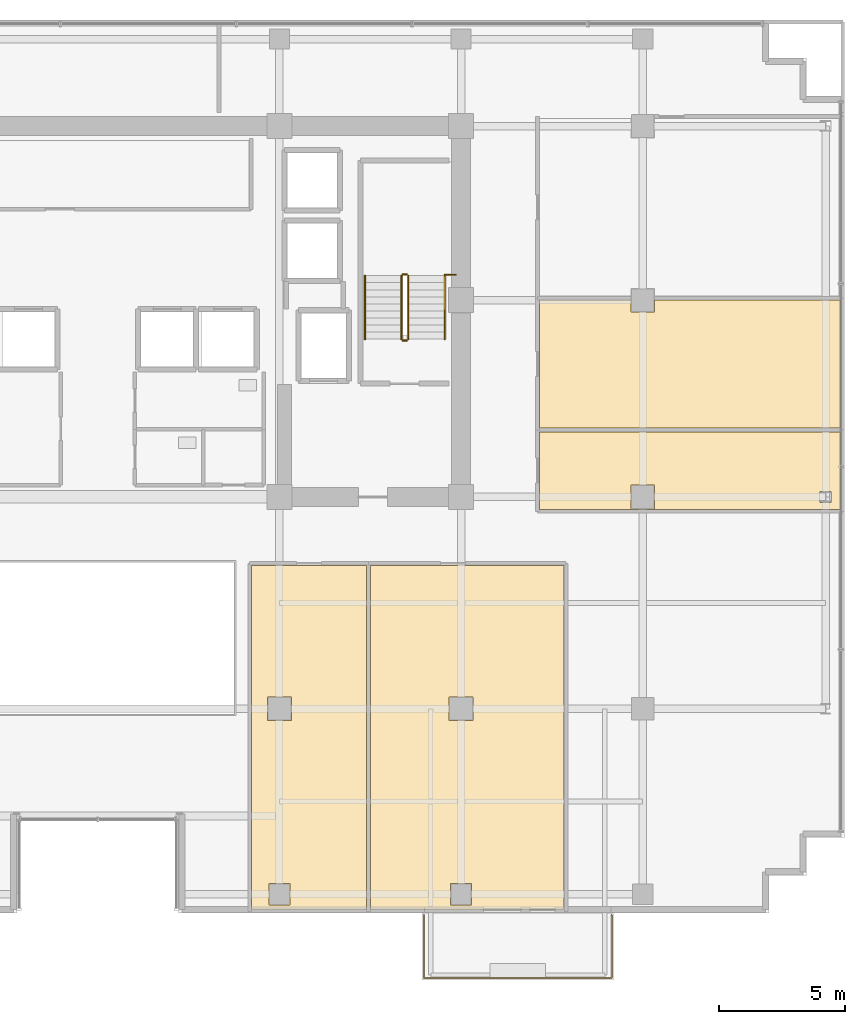
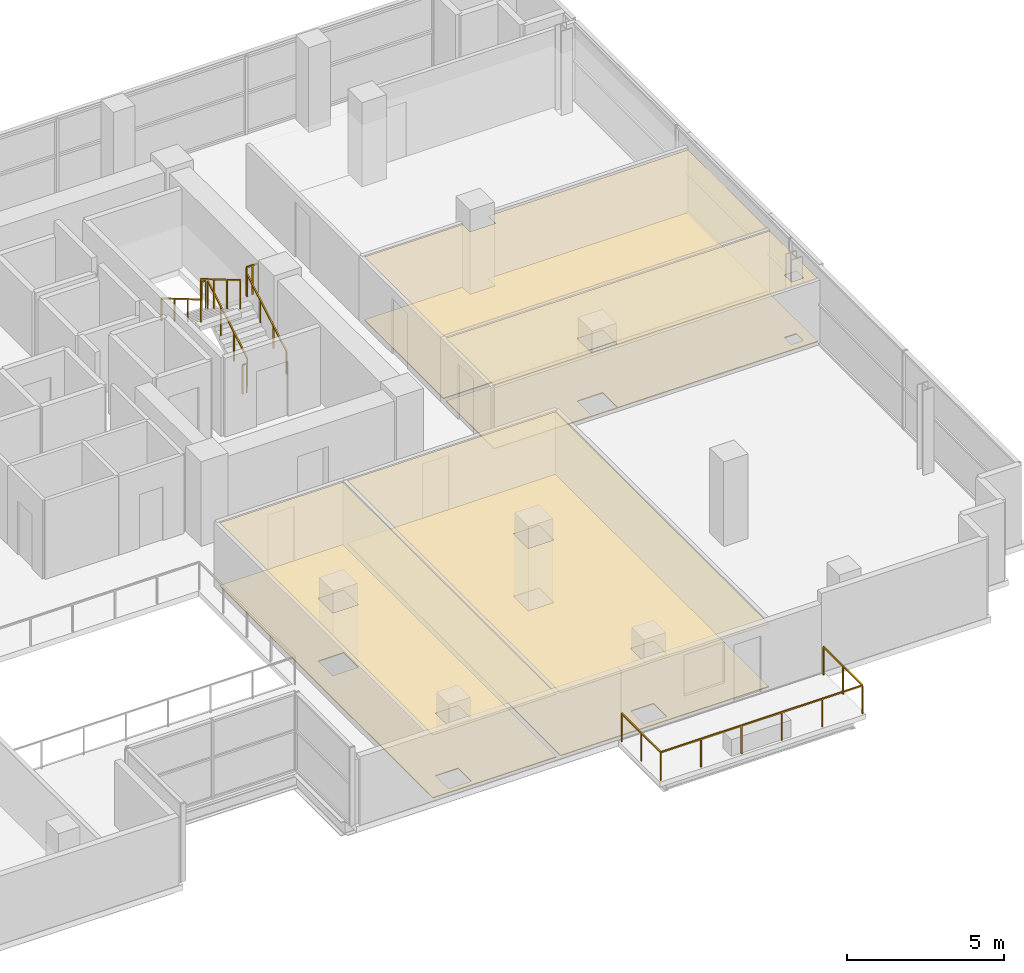
# One storey, part 21 of 23: 8 coverings, 8 railings.
"""IFC4 building model written with IfcOpenShell, lengths in metres."""

import ifcopenshell
import ifcopenshell.guid

model = None  # the IFC model being written
_history = None  # IfcOwnerHistory: only IFC2X3 demands one
_inside = {}  # id of a spatial element -> (the spatial element, [elements in it])
_under = {}  # id of a project, library or spatial element -> (it, [spatial elements below it])
_declared = {}  # id of a project -> (the project, [libraries it declares])
_typed = {}  # id of a type object -> (the type object, [elements of that type])
_made_of = {}  # id of a material, layer set ... -> (it, [elements and type objects made of it])


def new_model(schema):
    """Start an empty IFC model of exactly this schema.

    Asked for "IFC4X3", IfcOpenShell would pick the latest addendum, in which some entities
    have other attributes; the version numbers below select the first issue.
    IFC2X3 requires an IfcOwnerHistory on every rooted entity: one is made here for all.
    """
    global model, _history
    if schema == "IFC4X3":
        model = ifcopenshell.file(schema_version=(4, 3, 0, 0))
    else:
        model = ifcopenshell.file(schema=schema)
    _inside.clear()
    _under.clear()
    _declared.clear()
    _typed.clear()
    _made_of.clear()
    _history = None
    if model.schema == "IFC2X3":
        org = make("IfcOrganization", Name="unknown")
        user = make(
            "IfcPersonAndOrganization",
            ThePerson=make("IfcPerson", FamilyName="unknown"),
            TheOrganization=org,
        )
        app = make(
            "IfcApplication",
            ApplicationDeveloper=org,
            Version="unknown",
            ApplicationFullName="unknown",
            ApplicationIdentifier="unknown",
        )
        _history = make(
            "IfcOwnerHistory",
            OwningUser=user,
            OwningApplication=app,
            ChangeAction="ADDED",
            CreationDate=0,
        )
    return model


def make(cls, **values):
    """One entity of the class cls with the attributes given. An attribute that is None is left unset."""
    return model.create_entity(
        cls, **{name: value for name, value in values.items() if value is not None}
    )


def rooted(cls, **values):
    """An entity with a GlobalId (a new one), such as an element, a storey or a relation."""
    return make(cls, GlobalId=ifcopenshell.guid.new(), OwnerHistory=_history, **values)


def si_unit(unit_type, name, prefix=None):
    """IfcSIUnit, for example si_unit("LENGTHUNIT", "METRE", prefix="MILLI")."""
    return make("IfcSIUnit", UnitType=unit_type, Prefix=prefix, Name=name)


def assignment(units):
    """IfcUnitAssignment: the units of a project."""
    return None if units is None else make("IfcUnitAssignment", Units=units)


def point(xyz):
    """IfcCartesianPoint."""
    return None if xyz is None else make("IfcCartesianPoint", Coordinates=xyz)


def direction(xyz):
    """IfcDirection."""
    return None if xyz is None else make("IfcDirection", DirectionRatios=xyz)


def frame(location, z_axis=None, x_axis=None):
    """IfcAxis2Placement3D, a coordinate frame: its origin and axes. An axis left out is left unset."""
    return make(
        "IfcAxis2Placement3D",
        Location=point(location),
        Axis=direction(z_axis),
        RefDirection=direction(x_axis),
    )


def frame_2d(location, x_axis=None):
    """IfcAxis2Placement2D, a coordinate frame in the plane: its origin and x axis."""
    return make(
        "IfcAxis2Placement2D", Location=point(location), RefDirection=direction(x_axis)
    )


def origin():
    """The frame at (0, 0, 0) with its axes left unset."""
    return frame((0.0, 0.0, 0.0))


def origin_2d():
    """The frame at (0, 0) in the plane with its x axis left unset."""
    return frame_2d((0.0, 0.0))


def place(relative_to, where):
    """IfcLocalPlacement: puts the frame where relative to a parent placement (None: the world)."""
    return make(
        "IfcLocalPlacement", PlacementRelTo=relative_to, RelativePlacement=where
    )


def context(
    kind, dimensions, precision=None, world=None, true_north=None, identifier=None
):
    """IfcGeometricRepresentationContext, for example the 3D "Model" context."""
    return make(
        "IfcGeometricRepresentationContext",
        ContextIdentifier=identifier,
        ContextType=kind,
        CoordinateSpaceDimension=dimensions,
        Precision=precision,
        WorldCoordinateSystem=world,
        TrueNorth=true_north,
    )


def subcontext(parent, identifier, kind, view, scale=None):
    """IfcGeometricRepresentationSubContext, for example "Body" below "Model"."""
    return make(
        "IfcGeometricRepresentationSubContext",
        ContextIdentifier=identifier,
        ContextType=kind,
        ParentContext=parent,
        TargetScale=scale,
        TargetView=view,
    )


def project(units=None, contexts=None):
    """IfcProject with its units and contexts."""
    return rooted(
        "IfcProject",
        Name="project",
        RepresentationContexts=contexts,
        UnitsInContext=assignment(units),
    )


def spatial(cls, under=None, at=None, **own):
    """A site, building, storey or space (cls), placed at a placement, below another one or the project."""
    s = rooted(cls, ObjectPlacement=at, **own)
    if under is not None:
        _under.setdefault(under.id(), (under, []))[1].append(s)
    return s


def polyline(points):
    """IfcPolyline through the points."""
    return make("IfcPolyline", Points=[point(p) for p in points])


def profile(cls, at=None, kind="AREA", **sizes):
    """A parametric profile (cls). Its sizes go by their IFC names, for example OverallWidth=200.0."""
    return make(cls, ProfileType=kind, Position=at, **sizes)


def rectangle(**sizes):
    """IfcRectangleProfileDef."""
    return profile("IfcRectangleProfileDef", **sizes)


def outline(outer, holes=None, kind="AREA"):
    """IfcArbitraryClosedProfileDef: a profile drawn as a closed curve; with holes, ...WithVoids."""
    if holes is None:
        return make("IfcArbitraryClosedProfileDef", ProfileType=kind, OuterCurve=outer)
    return make(
        "IfcArbitraryProfileDefWithVoids",
        ProfileType=kind,
        OuterCurve=outer,
        InnerCurves=holes,
    )


def extrude(swept, where, along, depth):
    """IfcExtrudedAreaSolid: the profile swept, set in the frame where, extruded along a direction by depth."""
    return make(
        "IfcExtrudedAreaSolid",
        SweptArea=swept,
        Position=where,
        ExtrudedDirection=direction(along),
        Depth=depth,
    )


def shape(context_of_items, identifier, shape_type, items):
    """IfcShapeRepresentation: the items that make up one representation, for example the "Body"."""
    return make(
        "IfcShapeRepresentation",
        ContextOfItems=context_of_items,
        RepresentationIdentifier=identifier,
        RepresentationType=shape_type,
        Items=items,
    )


def material(Name=None, Category=None):
    """IfcMaterial."""
    return make("IfcMaterial", Name=Name, Category=Category)


def layer(
    of_material, thickness, ventilated=None, Name=None, Category=None, Priority=None
):
    """IfcMaterialLayer: one layer of a wall or slab, of a material (None: an air gap)."""
    return make(
        "IfcMaterialLayer",
        Material=of_material,
        LayerThickness=thickness,
        IsVentilated=ventilated,
        Name=Name,
        Category=Category,
        Priority=Priority,
    )


def layer_set(layers, Name=None):
    """IfcMaterialLayerSet."""
    return make("IfcMaterialLayerSet", MaterialLayers=layers, LayerSetName=Name)


def made_of(thing, what):
    """Note that an element or type object is made of a material, layer set ...; save() writes the relation."""
    if what is not None:
        _made_of.setdefault(what.id(), (what, []))[1].append(thing)
    return thing


def type_object(cls, material=None, **own):
    """A type object (cls), such as IfcWallType, which elements share."""
    return made_of(rooted(cls, **own), material)


def element(
    cls,
    number,
    at=None,
    inside=None,
    cuts=None,
    type_object=None,
    material=None,
    context=None,
    identifier="Body",
    shape_type=None,
    held_by="IfcProductDefinitionShape",
    body=None,
    shapes=None,
    **own,
):
    """One element of the class cls, such as IfcWall. Its Tag is "e" and its number.

    at: its placement. inside: the storey or other place that contains it. cuts: it is an
    opening in that element (IfcRelVoidsElement). A single representation is given by context,
    identifier, shape_type and body (its items); several are given by shapes. held_by: the class
    of the entity that holds the representations. save() writes the other relations.
    """
    e = rooted(cls, Tag="e%d" % number, ObjectPlacement=at, **own)
    if body is not None:
        shapes = [shape(context, identifier, shape_type, body)]
    if shapes is not None:
        e.Representation = make(held_by, Representations=shapes)
    if inside is not None:
        _inside.setdefault(inside.id(), (inside, []))[1].append(e)
    if cuts is not None:
        rooted(
            "IfcRelVoidsElement", RelatingBuildingElement=cuts, RelatedOpeningElement=e
        )
    if type_object is not None:
        _typed.setdefault(type_object.id(), (type_object, []))[1].append(e)
    return made_of(e, material)


def aggregate(whole, parts):
    """IfcRelAggregates: a whole, such as a stair, and the parts it consists of."""
    return rooted("IfcRelAggregates", RelatingObject=whole, RelatedObjects=parts)


def save(model, path):
    """Write the relations noted so far, then the file.

    IfcRelAggregates (storeys below a building ...), IfcRelContainedInSpatialStructure (elements
    in a storey), IfcRelDefinesByType, IfcRelAssociatesMaterial and IfcRelDeclares: one each for
    every whole, place, type object, material and project.
    """
    for whole, parts in _under.values():
        aggregate(whole, parts)
    for where, things in _inside.values():
        rooted(
            "IfcRelContainedInSpatialStructure",
            RelatedElements=things,
            RelatingStructure=where,
        )
    for kind, things in _typed.values():
        rooted("IfcRelDefinesByType", RelatedObjects=things, RelatingType=kind)
    for what, things in _made_of.values():
        rooted("IfcRelAssociatesMaterial", RelatedObjects=things, RelatingMaterial=what)
    for by, libraries in _declared.values():
        rooted("IfcRelDeclares", RelatingContext=by, RelatedDefinitions=libraries)
    model.write(path)


model = new_model("IFC4")

# Units and contexts
model_context = context("Model", 3, precision=1e-05, world=origin(), true_north=direction((0.0, 1.0)))
body_context = subcontext(model_context, "Body", "Model", "MODEL_VIEW")
ifc_project = project(units=[si_unit("LENGTHUNIT", "METRE"), si_unit("AREAUNIT", "SQUARE_METRE"), si_unit("VOLUMEUNIT", "CUBIC_METRE"), si_unit("PLANEANGLEUNIT", "RADIAN"), si_unit("MASSUNIT", "GRAM", prefix="KILO")], contexts=[model_context])

# Site, building, storey
site_placement = place(None, origin())
site = spatial("IfcSite", under=ifc_project, at=site_placement, CompositionType="ELEMENT")
building_placement = place(site_placement, origin())
building = spatial("IfcBuilding", under=site, at=building_placement, Name="Zarnakvel Exchange Tower", CompositionType="ELEMENT")
storey_placement = place(building_placement, frame((0.0, 0.0, 123.10009765625)))
storey = spatial("IfcBuildingStorey", under=building, at=storey_placement, Name="L34", CompositionType="ELEMENT", Elevation=123.10009765625)

# Coverings
ifc_material_1 = material(Name="Perforated Bronze Acoustic Metal Ceiling", Category="aluminium")
ifc_layer_1 = layer(ifc_material_1, 0.02001953125)
ifc_layer_set_1 = layer_set([ifc_layer_1], Name="Perforated Bronze Acoustic Metal Ceiling")
covering_type_1 = type_object("IfcCoveringType", Name="CLG-01", PredefinedType="CEILING", material=ifc_layer_set_1)
covering_1_placement = place(storey_placement, frame((0.0, 0.0, 2.454833984375)))
element("IfcCovering", 1, at=covering_1_placement, inside=storey, type_object=covering_type_1, Name="L34 Suspended Acoustic Ceiling (Meeting Room)", PredefinedType="CEILING", context=body_context, shape_type="SweptSolid", body=[
    extrude(outline(polyline([(6.10009765625, -3.909912109375), (10.649169921875, -3.909912109375), (10.649169921875, -17.550048828125), (6.10009765625, -17.550048828125), (6.10009765625, -3.909912109375)]), holes=[polyline([(6.72998046875, -10.070068359375), (7.669921875, -10.070068359375), (7.669921875, -9.1298828125), (6.72998046875, -9.1298828125), (6.72998046875, -10.070068359375)]), polyline([(7.6201171875, -17.3701171875), (7.6201171875, -16.530029296875), (6.780029296875, -16.530029296875), (6.780029296875, -17.3701171875), (7.6201171875, -17.3701171875)])]), origin(), (0.0, 0.0, 1.0), 0.02001953125),
])
covering_2_placement = place(storey_placement, frame((0.0, 0.0, 2.454833984375)))
element("IfcCovering", 2, at=covering_2_placement, inside=storey, type_object=covering_type_1, Name="L34 Suspended Acoustic Ceiling (Executive Office)", PredefinedType="CEILING", context=body_context, shape_type="SweptSolid", body=[
    extrude(outline(polyline([(10.80908203125, -3.909912109375), (18.48583984375, -3.909912109375), (18.48583984375, -17.550048828125), (10.80908203125, -17.550048828125), (10.80908203125, -3.909912109375)]), holes=[polyline([(13.929931640625, -10.070068359375), (14.8701171875, -10.070068359375), (14.8701171875, -9.1298828125), (13.929931640625, -9.1298828125), (13.929931640625, -10.070068359375)]), polyline([(14.820068359375, -17.3701171875), (14.820068359375, -16.530029296875), (13.97998046875, -16.530029296875), (13.97998046875, -17.3701171875), (14.820068359375, -17.3701171875)])]), origin(), (0.0, 0.0, 1.0), 0.02001953125),
])
covering_3_placement = place(storey_placement, frame((0.0, 0.0, 2.454833984375)))
element("IfcCovering", 3, at=covering_3_placement, inside=storey, type_object=covering_type_1, Name="L34 Suspended Acoustic Ceiling (Staff Pantry)", PredefinedType="CEILING", context=body_context, shape_type="SweptSolid", body=[
    extrude(outline(polyline([(17.510009765625, 1.380126953125), (29.449951171875, 1.380126953125), (29.449951171875, -1.68994140625), (17.510009765625, -1.68994140625), (17.510009765625, 1.380126953125)]), holes=[polyline([(28.6279296875, -1.423583984375), (29.072021484375, -1.423583984375), (29.072021484375, -0.9765625), (28.6279296875, -0.9765625), (28.6279296875, -1.423583984375)]), polyline([(22.070068359375, -1.669921875), (22.070068359375, -0.72998046875), (21.1298828125, -0.72998046875), (21.1298828125, -1.669921875), (22.070068359375, -1.669921875)])]), origin(), (0.0, 0.0, 1.0), 0.02001953125),
])
covering_4_placement = place(storey_placement, frame((0.0, 0.0, 2.454833984375)))
element("IfcCovering", 4, at=covering_4_placement, inside=storey, type_object=covering_type_1, Name="L34 Suspended Acoustic Ceiling (Risk Analytics Suite)", PredefinedType="CEILING", context=body_context, shape_type="SweptSolid", body=[
    extrude(outline(polyline([(17.510009765625, 6.5966796875), (21.1298828125, 6.5966796875), (21.1298828125, 6.1298828125), (22.070068359375, 6.1298828125), (22.070068359375, 6.5966796875), (29.449951171875, 6.5966796875), (29.449951171875, 1.5400390625), (17.510009765625, 1.5400390625), (17.510009765625, 6.5966796875)])), origin(), (0.0, 0.0, 1.0), 0.02001953125),
])
ifc_material_2 = material(Name="Heavy-Duty Raised Access Floor Panel", Category="steel")
ifc_layer_2 = layer(ifc_material_2, 0.034912109375)
ifc_layer_set_2 = layer_set([ifc_layer_2], Name="Heavy-Duty Raised Access Floor Panel")
covering_type_2 = type_object("IfcCoveringType", Name="FLR-02", PredefinedType="FLOORING", material=ifc_layer_set_2)
covering_5_placement = place(storey_placement, origin())
element("IfcCovering", 5, at=covering_5_placement, inside=storey, type_object=covering_type_2, Name="L34 Floor Finish (Meeting Room)", PredefinedType="FLOORING", context=body_context, shape_type="SweptSolid", body=[
    extrude(outline(polyline([(6.10009765625, -3.909912109375), (10.649169921875, -3.909912109375), (10.649169921875, -17.550048828125), (6.10009765625, -17.550048828125), (6.10009765625, -3.909912109375)]), holes=[polyline([(6.72998046875, -10.070068359375), (7.669921875, -10.070068359375), (7.669921875, -9.1298828125), (6.72998046875, -9.1298828125), (6.72998046875, -10.070068359375)]), polyline([(7.6201171875, -17.3701171875), (7.6201171875, -16.530029296875), (6.780029296875, -16.530029296875), (6.780029296875, -17.3701171875), (7.6201171875, -17.3701171875)])]), origin(), (0.0, 0.0, 1.0), 0.034912109375),
])
covering_6_placement = place(storey_placement, origin())
element("IfcCovering", 6, at=covering_6_placement, inside=storey, type_object=covering_type_2, Name="L34 Floor Finish (Executive Office)", PredefinedType="FLOORING", context=body_context, shape_type="SweptSolid", body=[
    extrude(outline(polyline([(10.80908203125, -3.909912109375), (18.48583984375, -3.909912109375), (18.48583984375, -17.550048828125), (10.80908203125, -17.550048828125), (10.80908203125, -3.909912109375)]), holes=[polyline([(13.929931640625, -10.070068359375), (14.8701171875, -10.070068359375), (14.8701171875, -9.1298828125), (13.929931640625, -9.1298828125), (13.929931640625, -10.070068359375)]), polyline([(14.820068359375, -17.3701171875), (14.820068359375, -16.530029296875), (13.97998046875, -16.530029296875), (13.97998046875, -17.3701171875), (14.820068359375, -17.3701171875)])]), origin(), (0.0, 0.0, 1.0), 0.034912109375),
])
covering_7_placement = place(storey_placement, origin())
element("IfcCovering", 7, at=covering_7_placement, inside=storey, type_object=covering_type_2, Name="L34 Floor Finish (Staff Pantry)", PredefinedType="FLOORING", context=body_context, shape_type="SweptSolid", body=[
    extrude(outline(polyline([(17.510009765625, 1.380126953125), (29.449951171875, 1.380126953125), (29.449951171875, -1.68994140625), (17.510009765625, -1.68994140625), (17.510009765625, 1.380126953125)]), holes=[polyline([(28.6279296875, -1.423583984375), (29.072021484375, -1.423583984375), (29.072021484375, -0.9765625), (28.6279296875, -0.9765625), (28.6279296875, -1.423583984375)]), polyline([(22.070068359375, -1.669921875), (22.070068359375, -0.72998046875), (21.1298828125, -0.72998046875), (21.1298828125, -1.669921875), (22.070068359375, -1.669921875)])]), origin(), (0.0, 0.0, 1.0), 0.034912109375),
])
covering_8_placement = place(storey_placement, origin())
element("IfcCovering", 8, at=covering_8_placement, inside=storey, type_object=covering_type_2, Name="L34 Floor Finish (Risk Analytics Suite)", PredefinedType="FLOORING", context=body_context, shape_type="SweptSolid", body=[
    extrude(outline(polyline([(17.510009765625, 6.5966796875), (21.1298828125, 6.5966796875), (21.1298828125, 6.1298828125), (22.070068359375, 6.1298828125), (22.070068359375, 6.5966796875), (29.449951171875, 6.5966796875), (29.449951171875, 1.5400390625), (17.510009765625, 1.5400390625), (17.510009765625, 6.5966796875)])), origin(), (0.0, 0.0, 1.0), 0.034912109375),
])

# Railings
ifc_material_3 = material(Name="Architectural Bronze Anodised Aluminium", Category="aluminium")
railing_type_1 = type_object("IfcRailingType", Name="GR-02", PredefinedType="GUARDRAIL", material=ifc_material_3)
railing_1_placement = place(storey_placement, frame((12.929931640625, -17.780029296875, -0.03515625)))
element("IfcRailing", 9, at=railing_1_placement, inside=storey, type_object=railing_type_1, Name="L34 Balcony Guardrail BAL-L34-SE", PredefinedType="GUARDRAIL", context=body_context, shape_type="SweptSolid", body=[
    extrude(rectangle(XDim=0.048095703125, YDim=0.048095703125, at=origin_2d()), frame((0.0, 0.0, 1.09619140625), z_axis=(0.0, -1.0, 0.0), x_axis=(1.0, 0.0, 0.0)), (0.0, 0.0, 1.0), 2.489990234375),
    extrude(rectangle(XDim=0.048095703125, YDim=0.048095703125, at=origin_2d()), frame((0.0, -2.489990234375, 1.09619140625), z_axis=(1.0, 0.0, 0.0), x_axis=(0.0, 1.0, 0.0)), (0.0, 0.0, 1.0), 7.440185546875),
    extrude(rectangle(XDim=0.048095703125, YDim=0.048095703125, at=origin_2d()), frame((7.440185546875, -2.489990234375, 1.09619140625), z_axis=(0.0, 1.0, 0.0), x_axis=(-1.0, 0.0, 0.0)), (0.0, 0.0, 1.0), 2.489990234375),
    extrude(rectangle(XDim=0.0419921875, YDim=0.0419921875, at=origin_2d()), origin(), (0.0, 0.0, 1.0), 1.072021484375),
    extrude(rectangle(XDim=0.0419921875, YDim=0.0419921875, at=origin_2d()), frame((0.0, -1.2451171875, 0.0)), (0.0, 0.0, 1.0), 1.072021484375),
    extrude(rectangle(XDim=0.0419921875, YDim=0.0419921875, at=origin_2d()), frame((0.0, -2.489990234375, 0.0)), (0.0, 0.0, 1.0), 1.072021484375),
    extrude(rectangle(XDim=0.0419921875, YDim=0.0419921875, at=origin_2d()), frame((1.488037109375, -2.489990234375, 0.0)), (0.0, 0.0, 1.0), 1.072021484375),
    extrude(rectangle(XDim=0.0419921875, YDim=0.0419921875, at=origin_2d()), frame((2.97607421875, -2.489990234375, 0.0)), (0.0, 0.0, 1.0), 1.072021484375),
    extrude(rectangle(XDim=0.0419921875, YDim=0.0419921875, at=origin_2d()), frame((4.464111328125, -2.489990234375, 0.0)), (0.0, 0.0, 1.0), 1.072021484375),
    extrude(rectangle(XDim=0.0419921875, YDim=0.0419921875, at=origin_2d()), frame((5.9521484375, -2.489990234375, 0.0)), (0.0, 0.0, 1.0), 1.072021484375),
    extrude(rectangle(XDim=0.0419921875, YDim=0.0419921875, at=origin_2d()), frame((7.440185546875, -2.489990234375, 0.0)), (0.0, 0.0, 1.0), 1.072021484375),
    extrude(rectangle(XDim=0.0419921875, YDim=0.0419921875, at=origin_2d()), frame((7.440185546875, -1.2451171875, 0.0)), (0.0, 0.0, 1.0), 1.072021484375),
    extrude(rectangle(XDim=0.0419921875, YDim=0.0419921875, at=origin_2d()), frame((7.440185546875, 0.0, 0.0)), (0.0, 0.0, 1.0), 1.072021484375),
])
ifc_material_4 = material(Name="Brushed Stainless Steel", Category="steel")
railing_type_2 = type_object("IfcRailingType", Name="HR-01", PredefinedType="HANDRAIL", material=ifc_material_4)
railing_2_placement = place(storey_placement, frame((13.75, 5.050048828125, 0.164794921875)))
element("IfcRailing", 10, at=railing_2_placement, inside=storey, type_object=railing_type_2, Name="L34 ST-02 stair handrail 1", PredefinedType="HANDRAIL", context=body_context, shape_type="SweptSolid", body=[
    extrude(rectangle(XDim=0.048095703125, YDim=0.048095703125, at=origin_2d()), frame((0.0, 0.0, 0.8759765625), z_axis=(0.0, 0.86152411907, 0.507716645641), x_axis=(-1.0, 0.0, 0.0)), (0.0, 0.0, 1.0), 2.925048828125),
    extrude(rectangle(XDim=0.0419921875, YDim=0.0419921875, at=origin_2d()), origin(), (0.0, 0.0, 1.0), 0.851806640625),
    extrude(rectangle(XDim=0.0419921875, YDim=0.0419921875, at=origin_2d()), frame((0.0, 0.840087890625, 0.4951171875)), (0.0, 0.0, 1.0), 0.851806640625),
    extrude(rectangle(XDim=0.0419921875, YDim=0.0419921875, at=origin_2d()), frame((0.0, 1.679931640625, 0.989990234375)), (0.0, 0.0, 1.0), 0.851806640625),
    extrude(rectangle(XDim=0.0419921875, YDim=0.0419921875, at=origin_2d()), frame((0.0, 2.52001953125, 1.485107421875)), (0.0, 0.0, 1.0), 0.851806640625),
])
railing_3_placement = place(storey_placement, frame((10.590087890625, 7.570068359375, 1.81494140625)))
element("IfcRailing", 11, at=railing_3_placement, inside=storey, type_object=railing_type_2, Name="L34 ST-02 stair handrail 2", PredefinedType="HANDRAIL", context=body_context, shape_type="SweptSolid", body=[
    extrude(rectangle(XDim=0.048095703125, YDim=0.048095703125, at=origin_2d()), frame((0.0, 0.0, 0.8759765625), z_axis=(0.0, -0.861560626758, 0.507654692109), x_axis=(1.0, 0.0, 0.0)), (0.0, 0.0, 1.0), 2.925048828125),
    extrude(rectangle(XDim=0.0419921875, YDim=0.0419921875, at=origin_2d()), origin(), (0.0, 0.0, 1.0), 0.851806640625),
    extrude(rectangle(XDim=0.0419921875, YDim=0.0419921875, at=origin_2d()), frame((0.0, -0.840087890625, 0.494873046875)), (0.0, 0.0, 1.0), 0.851806640625),
    extrude(rectangle(XDim=0.0419921875, YDim=0.0419921875, at=origin_2d()), frame((0.0, -1.679931640625, 0.989990234375)), (0.0, 0.0, 1.0), 0.851806640625),
    extrude(rectangle(XDim=0.0419921875, YDim=0.0419921875, at=origin_2d()), frame((0.0, -2.52001953125, 1.48486328125)), (0.0, 0.0, 1.0), 0.851806640625),
])
railing_type_3 = type_object("IfcRailingType", Name="SG-01", PredefinedType="GUARDRAIL", material=ifc_material_3)
railing_4_placement = place(storey_placement, frame((12.300048828125, 5.050048828125, 0.164794921875)))
element("IfcRailing", 12, at=railing_4_placement, inside=storey, type_object=railing_type_3, Name="L34 ST-02 stair guard 1", PredefinedType="GUARDRAIL", context=body_context, shape_type="SweptSolid", body=[
    extrude(rectangle(XDim=0.048095703125, YDim=0.048095703125, at=origin_2d()), frame((0.0, 0.0, 1.1259765625), z_axis=(0.0, 0.86152411907, 0.507716645641), x_axis=(-1.0, 0.0, 0.0)), (0.0, 0.0, 1.0), 2.925048828125),
    extrude(rectangle(XDim=0.0419921875, YDim=0.0419921875, at=origin_2d()), origin(), (0.0, 0.0, 1.0), 1.101806640625),
    extrude(rectangle(XDim=0.0419921875, YDim=0.0419921875, at=origin_2d()), frame((0.0, 0.840087890625, 0.4951171875)), (0.0, 0.0, 1.0), 1.101806640625),
    extrude(rectangle(XDim=0.0419921875, YDim=0.0419921875, at=origin_2d()), frame((0.0, 1.679931640625, 0.989990234375)), (0.0, 0.0, 1.0), 1.101806640625),
    extrude(rectangle(XDim=0.0419921875, YDim=0.0419921875, at=origin_2d()), frame((0.0, 2.52001953125, 1.485107421875)), (0.0, 0.0, 1.0), 1.101806640625),
])
railing_5_placement = place(storey_placement, frame((12.25, 7.6201171875, 1.64990234375)))
element("IfcRailing", 13, at=railing_5_placement, inside=storey, type_object=railing_type_3, Name="L34 ST-02 stair guard 2", PredefinedType="GUARDRAIL", context=body_context, shape_type="SweptSolid", body=[
    extrude(rectangle(XDim=0.048095703125, YDim=0.048095703125, at=origin_2d()), frame((0.0, 0.0, 1.1259765625), z_axis=(-1.0, 0.0, 0.0), x_axis=(0.0, -1.0, 0.0)), (0.0, 0.0, 1.0), 0.159912109375),
    extrude(rectangle(XDim=0.0419921875, YDim=0.0419921875, at=origin_2d()), origin(), (0.0, 0.0, 1.0), 1.101806640625),
    extrude(rectangle(XDim=0.0419921875, YDim=0.0419921875, at=origin_2d()), frame((-0.159912109375, 0.0, 0.0)), (0.0, 0.0, 1.0), 1.101806640625),
])
railing_6_placement = place(storey_placement, frame((12.0400390625, 7.570068359375, 1.81494140625)))
element("IfcRailing", 14, at=railing_6_placement, inside=storey, type_object=railing_type_3, Name="L34 ST-02 stair guard 3", PredefinedType="GUARDRAIL", context=body_context, shape_type="SweptSolid", body=[
    extrude(rectangle(XDim=0.048095703125, YDim=0.048095703125, at=origin_2d()), frame((0.0, 0.0, 1.1259765625), z_axis=(0.0, -0.861560626758, 0.507654692109), x_axis=(1.0, 0.0, 0.0)), (0.0, 0.0, 1.0), 2.925048828125),
    extrude(rectangle(XDim=0.0419921875, YDim=0.0419921875, at=origin_2d()), origin(), (0.0, 0.0, 1.0), 1.101806640625),
    extrude(rectangle(XDim=0.0419921875, YDim=0.0419921875, at=origin_2d()), frame((0.0, -0.840087890625, 0.494873046875)), (0.0, 0.0, 1.0), 1.101806640625),
    extrude(rectangle(XDim=0.0419921875, YDim=0.0419921875, at=origin_2d()), frame((0.0, -1.679931640625, 0.989990234375)), (0.0, 0.0, 1.0), 1.101806640625),
    extrude(rectangle(XDim=0.0419921875, YDim=0.0419921875, at=origin_2d()), frame((0.0, -2.52001953125, 1.48486328125)), (0.0, 0.0, 1.0), 1.101806640625),
])
railing_7_placement = place(storey_placement, frame((12.25, 5.0, 0.0)))
element("IfcRailing", 15, at=railing_7_placement, inside=storey, type_object=railing_type_3, Name="L34 ST-02 stair guard 4", PredefinedType="GUARDRAIL", context=body_context, shape_type="SweptSolid", body=[
    extrude(rectangle(XDim=0.048095703125, YDim=0.048095703125, at=origin_2d()), frame((0.0, 0.0, 1.1259765625), z_axis=(-1.0, 0.0, 0.0), x_axis=(0.0, -1.0, 0.0)), (0.0, 0.0, 1.0), 0.159912109375),
    extrude(rectangle(XDim=0.0419921875, YDim=0.0419921875, at=origin_2d()), origin(), (0.0, 0.0, 1.0), 1.101806640625),
    extrude(rectangle(XDim=0.0419921875, YDim=0.0419921875, at=origin_2d()), frame((-0.159912109375, 0.0, 0.0)), (0.0, 0.0, 1.0), 1.101806640625),
])
railing_8_placement = place(storey_placement, frame((13.75, 7.610107421875, 1.64990234375)))
element("IfcRailing", 16, at=railing_8_placement, inside=storey, type_object=railing_type_3, Name="L34 ST-02 Landing Slot Guardrail", PredefinedType="GUARDRAIL", context=body_context, shape_type="SweptSolid", body=[
    extrude(rectangle(XDim=0.048095703125, YDim=0.048095703125, at=origin_2d()), frame((0.0, 0.0, 1.1259765625), z_axis=(1.0, 0.0, 0.0), x_axis=(0.0, 1.0, 0.0)), (0.0, 0.0, 1.0), 0.429931640625),
    extrude(rectangle(XDim=0.0419921875, YDim=0.0419921875, at=origin_2d()), origin(), (0.0, 0.0, 1.0), 1.101806640625),
    extrude(rectangle(XDim=0.0419921875, YDim=0.0419921875, at=origin_2d()), frame((0.21484375, 0.0, 0.0)), (0.0, 0.0, 1.0), 1.101806640625),
    extrude(rectangle(XDim=0.0419921875, YDim=0.0419921875, at=origin_2d()), frame((0.429931640625, 0.0, 0.0)), (0.0, 0.0, 1.0), 1.101806640625),
])

save(model, "model.ifc")
